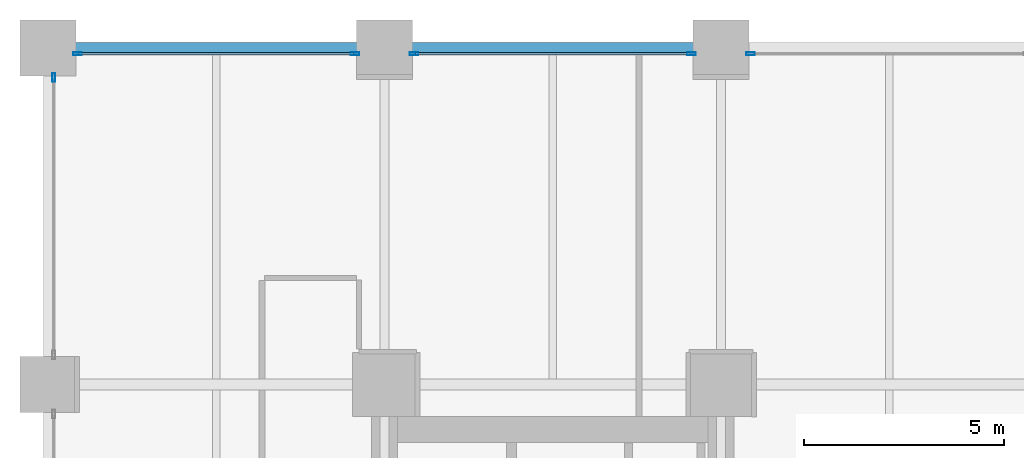
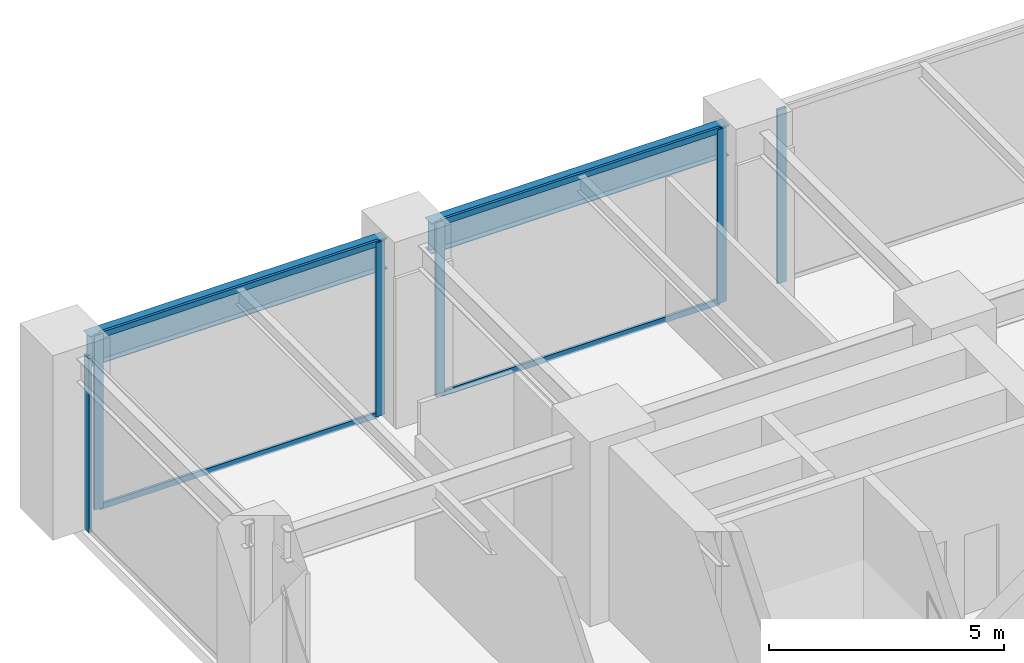
# One storey, part 12 of 24: 10 members, 2 beams, 4 elements without a shape of their own.
"""IFC4 building model written with IfcOpenShell, lengths in metres."""

from ifc_helpers import new_model, si_unit, direction, frame, origin, origin_2d, place, context, subcontext, project, spatial, hollow_rectangle, i_section, extrude, material, layer, layer_set, material_profile, profile_set, type_object, element, aggregate, save


model = new_model("IFC4")

# Units and contexts
model_context = context("Model", 3, precision=1e-05, world=origin(), true_north=direction((0.0, 1.0)))
body_context = subcontext(model_context, "Body", "Model", "MODEL_VIEW")
ifc_project = project(units=[si_unit("LENGTHUNIT", "METRE"), si_unit("AREAUNIT", "SQUARE_METRE"), si_unit("VOLUMEUNIT", "CUBIC_METRE"), si_unit("PLANEANGLEUNIT", "RADIAN"), si_unit("MASSUNIT", "GRAM", prefix="KILO")], contexts=[model_context])

# Site, building, storey
site_placement = place(None, origin())
site = spatial("IfcSite", under=ifc_project, at=site_placement, CompositionType="ELEMENT")
building_placement = place(site_placement, origin())
building = spatial("IfcBuilding", under=site, at=building_placement, Name="Nerrivon Quay Data Exchange", CompositionType="ELEMENT")
storey_placement = place(building_placement, frame((0.0, 0.0, 10.199951171875)))
storey = spatial("IfcBuildingStorey", under=building, at=storey_placement, Name="L02", CompositionType="ELEMENT", Elevation=10.199951171875)

# Beams
ifc_material_1 = material(Name="Steel Grade 350", Category="steel")
ifc_material_profile_1 = material_profile(ifc_material_1, i_section(OverallWidth=0.27490234375, OverallDepth=0.800048828125, WebThickness=0.010009765625, FlangeThickness=0.02001953125, at=origin_2d()), Name="800WB146")
ifc_profile_set_1 = profile_set([ifc_material_profile_1], Name="Steel Grade 350")
beam_type = type_object("IfcBeamType", Name="BM-G8-800WB146", PredefinedType="BEAM", material=ifc_profile_set_1)
for number, where, z_axis, x_axis, name in (
    (1, (0.5400390625, 50.39990234375, 4.125), (1.0, 0.0, 0.0), (0.0, 1.0, 0.0), "L02 EW Girder Y=50.4 (0.0..8.4)"),
    (2, (8.93994140625, 50.39990234375, 4.125), (1.0, 0.0, 0.0), (0.0, 1.0, 0.0), "L02 EW Girder Y=50.4 (8.4..16.8)"),
):
    element("IfcBeam", number, at=place(storey_placement, frame(where, z_axis=z_axis, x_axis=x_axis)), inside=storey, type_object=beam_type, Name=name, PredefinedType="BEAM", context=body_context, shape_type="SweptSolid", body=[
        extrude(i_section(OverallWidth=0.27490234375, OverallDepth=0.800048828125, WebThickness=0.010009765625, FlangeThickness=0.02001953125, at=origin_2d()), origin(), (0.0, 0.0, 1.0), 7.320068359375),
    ])

# Curtain wall, member
ifc_material_2 = material(Name="Anodised aluminium 6063-T6", Category="aluminium")
ifc_layer = layer(ifc_material_2, 0.239990234375)
ifc_layer_set = layer_set([ifc_layer], Name="Anodised aluminium 6063-T6")
curtain_wall_type = type_object("IfcCurtainWallType", Name="CW-SYS-03", PredefinedType="NOTDEFINED", material=ifc_layer_set)
curtain_wall_1_placement = place(storey_placement, origin())
curtain_wall_1 = element("IfcCurtainWall", 3, at=curtain_wall_1_placement, inside=storey, type_object=curtain_wall_type, Name="L02 Unitised Curtain Wall 6", PredefinedType="NOTDEFINED")
ifc_material_profile_2 = material_profile(ifc_material_2, hollow_rectangle(XDim=0.074951171875, YDim=0.219970703125, WallThickness=0.00390625, at=origin_2d()), Name="ALU-MULL-220x75")
ifc_profile_set_2 = profile_set([ifc_material_profile_2], Name="Anodised aluminium 6063-T6")
member_type_1 = type_object("IfcMemberType", Name="CWM-220x75", PredefinedType="MULLION", material=ifc_profile_set_2)
member_1_placement = place(storey_placement, frame((0.139892578125, 49.66259765625, 0.0), z_axis=(0.0, 0.0, 1.0), x_axis=(-1.0, 0.0, 0.0)))
member_1 = element("IfcMember", 4, at=member_1_placement, type_object=member_type_1, Name="CW03 mullion 2", PredefinedType="MULLION", context=body_context, shape_type="SweptSolid", body=[
    extrude(hollow_rectangle(XDim=0.074951171875, YDim=0.219970703125, WallThickness=0.00390625, at=origin_2d()), origin(), (0.0, 0.0, 1.0), 4.525146484375),
])
aggregate(curtain_wall_1, [member_1])

# Curtain wall, members
curtain_wall_2_placement = place(storey_placement, origin())
curtain_wall_2 = element("IfcCurtainWall", 5, at=curtain_wall_2_placement, inside=storey, type_object=curtain_wall_type, Name="L02 Unitised Curtain Wall 7", PredefinedType="NOTDEFINED")
member_2_placement = place(storey_placement, frame((0.737548828125, 50.260009765625, 0.0), z_axis=(0.0, 0.0, 1.0), x_axis=(0.0, 1.0, 0.0)))
member_2 = element("IfcMember", 6, at=member_2_placement, type_object=member_type_1, Name="CW03 mullion 1", PredefinedType="MULLION", context=body_context, shape_type="SweptSolid", body=[
    extrude(hollow_rectangle(XDim=0.074951171875, YDim=0.219970703125, WallThickness=0.00390625, at=origin_2d()), origin(), (0.0, 0.0, 1.0), 4.525146484375),
])
member_3_placement = place(storey_placement, frame((7.66259765625, 50.260009765625, 0.0), z_axis=(0.0, 0.0, 1.0), x_axis=(0.0, 1.0, 0.0)))
member_3 = element("IfcMember", 7, at=member_3_placement, type_object=member_type_1, Name="CW03 mullion 2", PredefinedType="MULLION", context=body_context, shape_type="SweptSolid", body=[
    extrude(hollow_rectangle(XDim=0.074951171875, YDim=0.219970703125, WallThickness=0.00390625, at=origin_2d()), origin(), (0.0, 0.0, 1.0), 4.525146484375),
])

curtain_wall_3_placement = place(storey_placement, origin())
curtain_wall_3 = element("IfcCurtainWall", 8, at=curtain_wall_3_placement, inside=storey, type_object=curtain_wall_type, Name="L02 Unitised Curtain Wall 8", PredefinedType="NOTDEFINED")
member_4_placement = place(storey_placement, frame((9.137451171875, 50.260009765625, 0.0), z_axis=(0.0, 0.0, 1.0), x_axis=(0.0, 1.0, 0.0)))
member_4 = element("IfcMember", 9, at=member_4_placement, type_object=member_type_1, Name="CW03 mullion 1", PredefinedType="MULLION", context=body_context, shape_type="SweptSolid", body=[
    extrude(hollow_rectangle(XDim=0.074951171875, YDim=0.219970703125, WallThickness=0.00390625, at=origin_2d()), origin(), (0.0, 0.0, 1.0), 4.525146484375),
])
member_5_placement = place(storey_placement, frame((16.0625, 50.260009765625, 0.0), z_axis=(0.0, 0.0, 1.0), x_axis=(0.0, 1.0, 0.0)))
member_5 = element("IfcMember", 10, at=member_5_placement, type_object=member_type_1, Name="CW03 mullion 2", PredefinedType="MULLION", context=body_context, shape_type="SweptSolid", body=[
    extrude(hollow_rectangle(XDim=0.074951171875, YDim=0.219970703125, WallThickness=0.00390625, at=origin_2d()), origin(), (0.0, 0.0, 1.0), 4.525146484375),
])

# Curtain wall, member
curtain_wall_4_placement = place(storey_placement, origin())
curtain_wall_4 = element("IfcCurtainWall", 11, at=curtain_wall_4_placement, inside=storey, type_object=curtain_wall_type, Name="L02 Unitised Curtain Wall 9", PredefinedType="NOTDEFINED")
member_6_placement = place(storey_placement, frame((17.53759765625, 50.260009765625, 0.0), z_axis=(0.0, 0.0, 1.0), x_axis=(0.0, 1.0, 0.0)))
member_6 = element("IfcMember", 12, at=member_6_placement, type_object=member_type_1, Name="CW03 mullion 1", PredefinedType="MULLION", context=body_context, shape_type="SweptSolid", body=[
    extrude(hollow_rectangle(XDim=0.074951171875, YDim=0.219970703125, WallThickness=0.00390625, at=origin_2d()), origin(), (0.0, 0.0, 1.0), 4.525146484375),
])
aggregate(curtain_wall_4, [member_6])

# Member
ifc_material_profile_3 = material_profile(ifc_material_2, hollow_rectangle(XDim=0.06494140625, YDim=0.14990234375, WallThickness=0.00341796875, at=origin_2d()), Name="ALU-TRAN-150x65")
ifc_profile_set_3 = profile_set([ifc_material_profile_3], Name="Anodised aluminium 6063-T6")
member_type_2 = type_object("IfcMemberType", Name="CWT-150x65", PredefinedType="USERDEFINED", material=ifc_profile_set_3)
member_7_placement = place(storey_placement, frame((0.77490234375, 50.260009765625, 0.032470703125), z_axis=(1.0, 0.0, 0.0), x_axis=(0.0, 1.0, 0.0)))
member_7 = element("IfcMember", 13, at=member_7_placement, type_object=member_type_2, Name="CW03 transom 1.1", ObjectType="TRANSOM", PredefinedType="USERDEFINED", context=body_context, shape_type="SweptSolid", body=[
    extrude(hollow_rectangle(XDim=0.06494140625, YDim=0.14990234375, WallThickness=0.00341796875, at=origin_2d()), origin(), (0.0, 0.0, 1.0), 6.85009765625),
])

member_8_placement = place(storey_placement, frame((0.77490234375, 50.260009765625, 4.492431640625), z_axis=(1.0, 0.0, 0.0), x_axis=(0.0, 1.0, 0.0)))
member_8 = element("IfcMember", 14, at=member_8_placement, type_object=member_type_2, Name="CW03 transom 1.2", ObjectType="TRANSOM", PredefinedType="USERDEFINED", context=body_context, shape_type="SweptSolid", body=[
    extrude(hollow_rectangle(XDim=0.06494140625, YDim=0.14990234375, WallThickness=0.00341796875, at=origin_2d()), origin(), (0.0, 0.0, 1.0), 6.85009765625),
])

aggregate(curtain_wall_2, [member_2, member_3, member_7, member_8])

member_9_placement = place(storey_placement, frame((9.175048828125, 50.260009765625, 0.032470703125), z_axis=(1.0, 0.0, 0.0), x_axis=(0.0, 1.0, 0.0)))
member_9 = element("IfcMember", 15, at=member_9_placement, type_object=member_type_2, Name="CW03 transom 1.1", ObjectType="TRANSOM", PredefinedType="USERDEFINED", context=body_context, shape_type="SweptSolid", body=[
    extrude(hollow_rectangle(XDim=0.06494140625, YDim=0.14990234375, WallThickness=0.00341796875, at=origin_2d()), origin(), (0.0, 0.0, 1.0), 6.849853515625),
])

member_10_placement = place(storey_placement, frame((9.175048828125, 50.260009765625, 4.492431640625), z_axis=(1.0, 0.0, 0.0), x_axis=(0.0, 1.0, 0.0)))
member_10 = element("IfcMember", 16, at=member_10_placement, type_object=member_type_2, Name="CW03 transom 1.2", ObjectType="TRANSOM", PredefinedType="USERDEFINED", context=body_context, shape_type="SweptSolid", body=[
    extrude(hollow_rectangle(XDim=0.06494140625, YDim=0.14990234375, WallThickness=0.00341796875, at=origin_2d()), origin(), (0.0, 0.0, 1.0), 6.849853515625),
])

aggregate(curtain_wall_3, [member_4, member_5, member_9, member_10])

save(model, "model.ifc")
